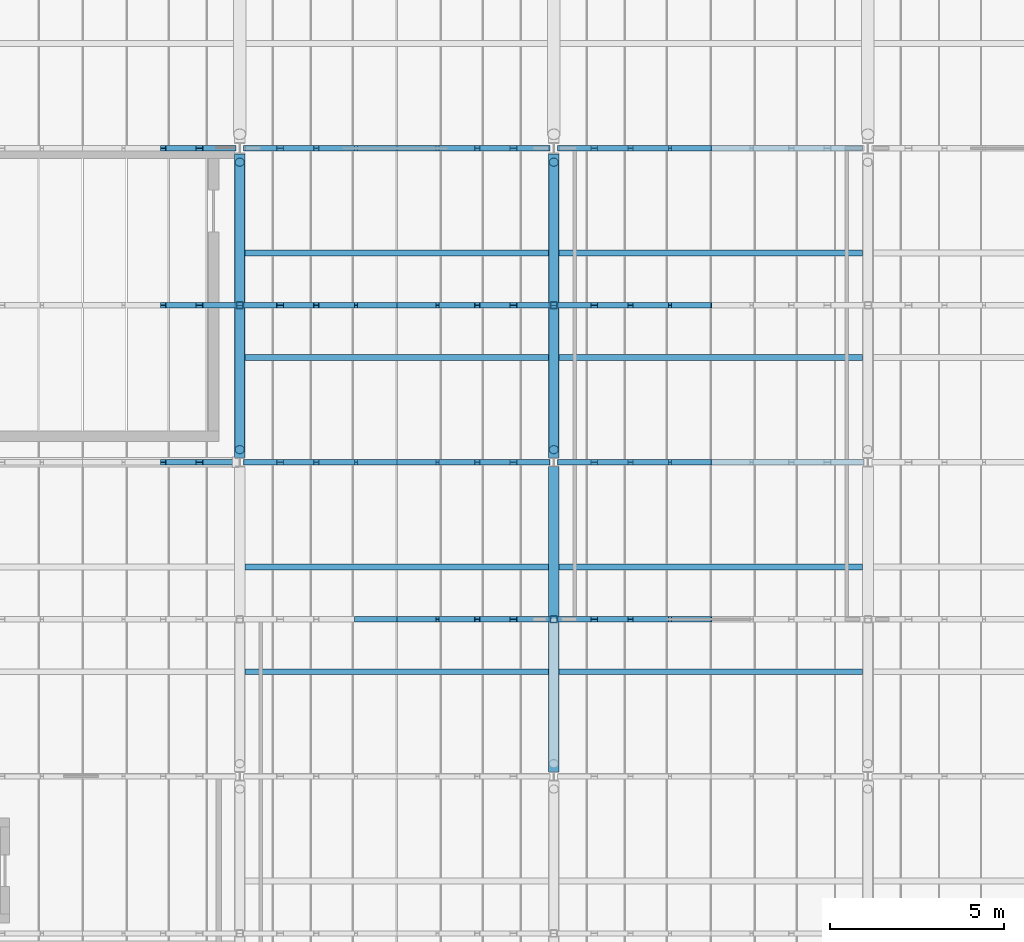
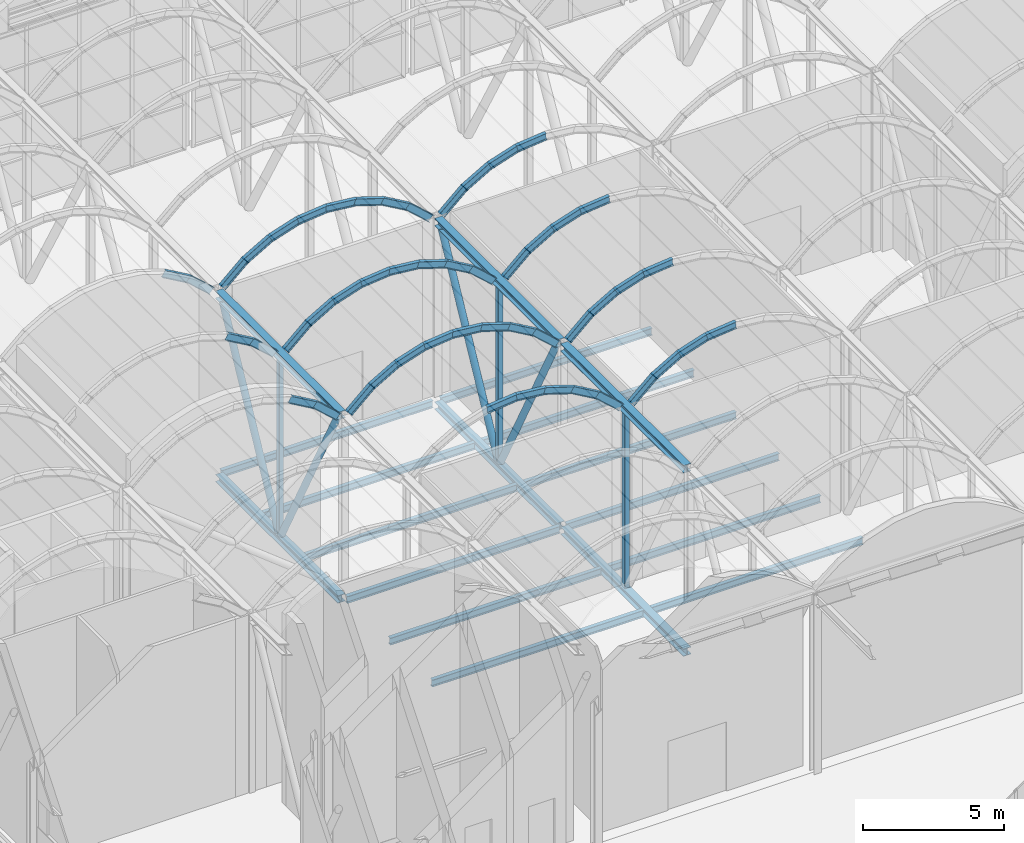
# One storey, part 97 of 144: 58 members, 18 beams.
"""IFC4 building model written with IfcOpenShell, lengths in metres."""

from ifc_helpers import new_model, si_unit, direction, frame, origin, origin_2d, place, context, subcontext, project, spatial, hollow_rectangle, hollow_circle, i_section, extrude, material, material_profile, profile_set, type_object, element, save


model = new_model("IFC4")

# Units and contexts
model_context = context("Model", 3, precision=1e-05, world=origin(), true_north=direction((0.0, 1.0)))
body_context = subcontext(model_context, "Body", "Model", "MODEL_VIEW")
ifc_project = project(units=[si_unit("LENGTHUNIT", "METRE"), si_unit("AREAUNIT", "SQUARE_METRE"), si_unit("VOLUMEUNIT", "CUBIC_METRE"), si_unit("PLANEANGLEUNIT", "RADIAN"), si_unit("MASSUNIT", "GRAM", prefix="KILO")], contexts=[model_context])

# Site, building, storey
site_placement = place(None, origin())
site = spatial("IfcSite", under=ifc_project, at=site_placement, CompositionType="ELEMENT")
building_placement = place(site_placement, origin())
building = spatial("IfcBuilding", under=site, at=building_placement, Name="Shorebreak Coast Museum", CompositionType="ELEMENT")
storey_placement = place(building_placement, frame((0.0, 0.0, 36.0)))
storey = spatial("IfcBuildingStorey", under=building, at=storey_placement, Name="L06", CompositionType="ELEMENT", Elevation=36.0)

# Beams
ifc_material_1 = material(Name="Steel Grade 300", Category="steel")
ifc_material_profile_1 = material_profile(ifc_material_1, i_section(OverallWidth=0.166015625, OverallDepth=0.30712890625, WebThickness=0.006591796875, FlangeThickness=0.01171875, FilletRadius=0.011474609375, at=origin_2d()), Name="310UB46.2")
ifc_profile_set_1 = profile_set([ifc_material_profile_1], Name="Steel Grade 300")
beam_type_1 = type_object("IfcBeamType", Name="Floor girder east-west 310UB46.2", PredefinedType="BEAM", material=ifc_profile_set_1)
for number, where, z_axis, x_axis, name in (
    (1, (72.126953125, 108.0, -0.32861328125), (1.0, 0.0, 0.0), (0.0, 1.0, 0.0), "Floor girder east-west L06 9N"),
    (2, (81.126953125, 108.0, -0.32861328125), (1.0, 0.0, 0.0), (0.0, 1.0, 0.0), "Floor girder east-west L06 10N"),
):
    element("IfcBeam", number, at=place(storey_placement, frame(where, z_axis=z_axis, x_axis=x_axis)), inside=storey, type_object=beam_type_1, Name=name, PredefinedType="BEAM", context=body_context, shape_type="SweptSolid", body=[
        extrude(i_section(OverallWidth=0.166015625, OverallDepth=0.30712890625, WebThickness=0.006591796875, FlangeThickness=0.01171875, FilletRadius=0.011474609375, at=origin_2d()), origin(), (0.0, 0.0, 1.0), 8.74609375),
    ])
for number, where, z_axis, x_axis, name in (
    (3, (72.155517578125, 117.0, -0.32861328125), (1.0, 0.0, 0.0), (0.0, 1.0, 0.0), "Floor girder east-west L06 9P"),
    (4, (81.155517578125, 117.0, -0.32861328125), (1.0, 0.0, 0.0), (0.0, 1.0, 0.0), "Floor girder east-west L06 10P"),
):
    element("IfcBeam", number, at=place(storey_placement, frame(where, z_axis=z_axis, x_axis=x_axis)), inside=storey, type_object=beam_type_1, Name=name, PredefinedType="BEAM", context=body_context, shape_type="SweptSolid", body=[
        extrude(i_section(OverallWidth=0.166015625, OverallDepth=0.30712890625, WebThickness=0.006591796875, FlangeThickness=0.01171875, FilletRadius=0.011474609375, at=origin_2d()), origin(), (0.0, 0.0, 1.0), 8.68896484375),
    ])
ifc_material_2 = material(Name="Steel Grade 300", Category="steel")
ifc_material_profile_2 = material_profile(ifc_material_2, i_section(OverallWidth=0.1650390625, OverallDepth=0.303955078125, WebThickness=0.006103515625, FlangeThickness=0.01025390625, FilletRadius=0.011474609375, at=origin_2d()), Name="310UB40.4")
ifc_profile_set_2 = profile_set([ifc_material_profile_2], Name="Steel Grade 300")
beam_type_2 = type_object("IfcBeamType", Name="Floor joist 310UB40.4", PredefinedType="JOIST", material=ifc_profile_set_2)
for number, where, z_axis, x_axis, name in (
    (5, (72.155517578125, 102.0, -0.326904296875), (1.0, 0.0, 0.0), (0.0, 1.0, 0.0), "Floor joist L06 bay 9M at 3000 mm"),
    (6, (72.155517578125, 105.0, -0.326904296875), (1.0, 0.0, 0.0), (0.0, 1.0, 0.0), "Floor joist L06 bay 9M at 6000 mm"),
    (7, (81.155517578125, 102.0, -0.326904296875), (1.0, 0.0, 0.0), (0.0, 1.0, 0.0), "Floor joist L06 bay 10M at 3000 mm"),
    (8, (81.155517578125, 105.0, -0.326904296875), (1.0, 0.0, 0.0), (0.0, 1.0, 0.0), "Floor joist L06 bay 10M at 6000 mm"),
    (9, (72.155517578125, 111.0, -0.326904296875), (1.0, 0.0, 0.0), (0.0, 1.0, 0.0), "Floor joist L06 bay 9N at 3000 mm"),
    (10, (72.155517578125, 114.0, -0.326904296875), (1.0, 0.0, 0.0), (0.0, 1.0, 0.0), "Floor joist L06 bay 9N at 6000 mm"),
    (11, (81.155517578125, 111.0, -0.326904296875), (1.0, 0.0, 0.0), (0.0, 1.0, 0.0), "Floor joist L06 bay 10N at 3000 mm"),
    (12, (81.155517578125, 114.0, -0.326904296875), (1.0, 0.0, 0.0), (0.0, 1.0, 0.0), "Floor joist L06 bay 10N at 6000 mm"),
):
    element("IfcBeam", number, at=place(storey_placement, frame(where, z_axis=z_axis, x_axis=x_axis)), inside=storey, type_object=beam_type_2, Name=name, PredefinedType="JOIST", context=body_context, shape_type="SweptSolid", body=[
        extrude(i_section(OverallWidth=0.1650390625, OverallDepth=0.303955078125, WebThickness=0.006103515625, FlangeThickness=0.01025390625, FilletRadius=0.011474609375, at=origin_2d()), origin(), (0.0, 0.0, 1.0), 8.68896484375),
    ])
ifc_material_3 = material(Name="Steel Grade 300", Category="steel")
ifc_material_profile_3 = material_profile(ifc_material_3, i_section(OverallWidth=0.30908203125, OverallDepth=0.320556640625, WebThickness=0.013916015625, FlangeThickness=0.021728515625, FilletRadius=0.0166015625, at=origin_2d()), Name="310UC137")
ifc_profile_set_3 = profile_set([ifc_material_profile_3], Name="Steel Grade 300")
beam_type_3 = type_object("IfcBeamType", Name="Transfer truss chord 310UC137", PredefinedType="BEAM", material=ifc_profile_set_3)
beam_1_placement = place(storey_placement, frame((72.0, 108.126953125, -0.335205078125), z_axis=(0.0, 1.0, 0.0), x_axis=(-1.0, 0.0, 0.0)))
element("IfcBeam", 13, at=beam_1_placement, inside=storey, type_object=beam_type_3, Name="Transfer truss TR3 chord C07", PredefinedType="BEAM", context=body_context, shape_type="SweptSolid", body=[
    extrude(i_section(OverallWidth=0.30908203125, OverallDepth=0.320556640625, WebThickness=0.013916015625, FlangeThickness=0.021728515625, FilletRadius=0.0166015625, at=origin_2d()), origin(), (0.0, 0.0, 1.0), 8.70947265625),
])
beam_2_placement = place(storey_placement, frame((81.0, 99.126953125, -0.335205078125), z_axis=(0.0, 1.0, 0.0), x_axis=(-1.0, 0.0, 0.0)))
element("IfcBeam", 14, at=beam_2_placement, inside=storey, type_object=beam_type_3, Name="Transfer truss TR4 chord C06", PredefinedType="BEAM", context=body_context, shape_type="SweptSolid", body=[
    extrude(i_section(OverallWidth=0.30908203125, OverallDepth=0.320556640625, WebThickness=0.013916015625, FlangeThickness=0.021728515625, FilletRadius=0.0166015625, at=origin_2d()), origin(), (0.0, 0.0, 1.0), 8.74609375),
])
beam_3_placement = place(storey_placement, frame((81.0, 108.126953125, -0.335205078125), z_axis=(0.0, 1.0, 0.0), x_axis=(-1.0, 0.0, 0.0)))
element("IfcBeam", 15, at=beam_3_placement, inside=storey, type_object=beam_type_3, Name="Transfer truss TR4 chord C07", PredefinedType="BEAM", context=body_context, shape_type="SweptSolid", body=[
    extrude(i_section(OverallWidth=0.30908203125, OverallDepth=0.320556640625, WebThickness=0.013916015625, FlangeThickness=0.021728515625, FilletRadius=0.0166015625, at=origin_2d()), origin(), (0.0, 0.0, 1.0), 8.70947265625),
])
ifc_material_4 = material(Name="Steel Grade 300", Category="steel")
ifc_material_profile_4 = material_profile(ifc_material_4, i_section(OverallWidth=0.31103515625, OverallDepth=0.3271484375, WebThickness=0.015625, FlangeThickness=0.02490234375, FilletRadius=0.0166015625, at=origin_2d()), Name="310UC158")
ifc_profile_set_4 = profile_set([ifc_material_profile_4], Name="Steel Grade 300")
beam_type_4 = type_object("IfcBeamType", Name="Transfer truss chord 310UC158", PredefinedType="BEAM", material=ifc_profile_set_4)
beam_4_placement = place(storey_placement, frame((72.0, 108.126953125, 7.621337890625), z_axis=(0.0, 1.0, 0.0), x_axis=(-1.0, 0.0, 0.0)))
element("IfcBeam", 16, at=beam_4_placement, inside=storey, type_object=beam_type_4, Name="Transfer truss TR3 chord C11", PredefinedType="BEAM", context=body_context, shape_type="SweptSolid", body=[
    extrude(i_section(OverallWidth=0.31103515625, OverallDepth=0.3271484375, WebThickness=0.015625, FlangeThickness=0.02490234375, FilletRadius=0.0166015625, at=origin_2d()), origin(), (0.0, 0.0, 1.0), 8.70947265625),
])
beam_5_placement = place(storey_placement, frame((81.0, 99.126953125, 7.621337890625), z_axis=(0.0, 1.0, 0.0), x_axis=(-1.0, 0.0, 0.0)))
element("IfcBeam", 17, at=beam_5_placement, inside=storey, type_object=beam_type_4, Name="Transfer truss TR4 chord C10", PredefinedType="BEAM", context=body_context, shape_type="SweptSolid", body=[
    extrude(i_section(OverallWidth=0.31103515625, OverallDepth=0.3271484375, WebThickness=0.015625, FlangeThickness=0.02490234375, FilletRadius=0.0166015625, at=origin_2d()), origin(), (0.0, 0.0, 1.0), 8.74609375),
])
beam_6_placement = place(storey_placement, frame((81.0, 108.126953125, 7.621337890625), z_axis=(0.0, 1.0, 0.0), x_axis=(-1.0, 0.0, 0.0)))
element("IfcBeam", 18, at=beam_6_placement, inside=storey, type_object=beam_type_4, Name="Transfer truss TR4 chord C11", PredefinedType="BEAM", context=body_context, shape_type="SweptSolid", body=[
    extrude(i_section(OverallWidth=0.31103515625, OverallDepth=0.3271484375, WebThickness=0.015625, FlangeThickness=0.02490234375, FilletRadius=0.0166015625, at=origin_2d()), origin(), (0.0, 0.0, 1.0), 8.70947265625),
])

# Members
ifc_material_5 = material(Name="Steel Grade C350L0", Category="steel")
ifc_material_profile_5 = material_profile(ifc_material_5, hollow_circle(Radius=0.136474609375, WallThickness=0.00927734375, at=origin_2d()), Name="273.1x9.3 CHS")
ifc_profile_set_5 = profile_set([ifc_material_profile_5], Name="Steel Grade C350L0")
member_type_1 = type_object("IfcMemberType", Name="Transfer truss diagonal 273.1x9.3 CHS", PredefinedType="BRACE", material=ifc_profile_set_5)
member_1_placement = place(storey_placement, frame((72.0, 112.414794921875, -0.175048828125), z_axis=(0.0, -0.468802638879, 0.883302941114), x_axis=(1.0, 0.0, 0.0)))
element("IfcMember", 19, at=member_1_placement, inside=storey, type_object=member_type_1, Name="Transfer truss TR3 diagonal D13", PredefinedType="BRACE", context=body_context, shape_type="SweptSolid", body=[
    extrude(hollow_circle(Radius=0.136474609375, WallThickness=0.00927734375, at=origin_2d()), origin(), (0.0, 0.0, 1.0), 8.64111328125),
])
member_2_placement = place(storey_placement, frame((72.0, 112.584228515625, -0.175048828125), z_axis=(0.0, 0.465641431585, 0.884973478242), x_axis=(-1.0, 0.0, 0.0)))
element("IfcMember", 20, at=member_2_placement, inside=storey, type_object=member_type_1, Name="Transfer truss TR3 diagonal D14", PredefinedType="BRACE", context=body_context, shape_type="SweptSolid", body=[
    extrude(hollow_circle(Radius=0.136474609375, WallThickness=0.00927734375, at=origin_2d()), origin(), (0.0, 0.0, 1.0), 8.625),
])
member_3_placement = place(storey_placement, frame((81.0, 112.414794921875, -0.175048828125), z_axis=(0.0, -0.468802638879, 0.883302941114), x_axis=(1.0, 0.0, 0.0)))
element("IfcMember", 21, at=member_3_placement, inside=storey, type_object=member_type_1, Name="Transfer truss TR4 diagonal D13", PredefinedType="BRACE", context=body_context, shape_type="SweptSolid", body=[
    extrude(hollow_circle(Radius=0.136474609375, WallThickness=0.00927734375, at=origin_2d()), origin(), (0.0, 0.0, 1.0), 8.64111328125),
])
member_4_placement = place(storey_placement, frame((81.0, 112.584228515625, -0.175048828125), z_axis=(0.0, 0.465641431585, 0.884973478242), x_axis=(-1.0, 0.0, 0.0)))
element("IfcMember", 22, at=member_4_placement, inside=storey, type_object=member_type_1, Name="Transfer truss TR4 diagonal D14", PredefinedType="BRACE", context=body_context, shape_type="SweptSolid", body=[
    extrude(hollow_circle(Radius=0.136474609375, WallThickness=0.00927734375, at=origin_2d()), origin(), (0.0, 0.0, 1.0), 8.625),
])
ifc_material_6 = material(Name="Steel Grade C450L0", Category="steel")
ifc_material_profile_6 = material_profile(ifc_material_6, hollow_rectangle(XDim=0.199951171875, YDim=0.199951171875, WallThickness=0.009033203125, InnerFilletRadius=0.013427734375, OuterFilletRadius=0.0224609375, at=origin_2d()), Name="200x200x9.0 SHS")
ifc_profile_set_6 = profile_set([ifc_material_profile_6], Name="Steel Grade C450L0")
member_type_2 = type_object("IfcMemberType", Name="Transfer truss strut 200x200x9.0 SHS", PredefinedType="STRUT", material=ifc_profile_set_6)
for number, where, z_axis, x_axis, name in (
    (23, (72.0, 112.5, -0.175048828125), (0.0, 0.0, 1.0), (1.0, 0.0, 0.0), "Transfer truss TR3 strut V10"),
    (24, (81.0, 103.5, -0.175048828125), (0.0, 0.0, 1.0), (1.0, 0.0, 0.0), "Transfer truss TR4 strut V09"),
    (25, (81.0, 112.5, -0.175048828125), (0.0, 0.0, 1.0), (1.0, 0.0, 0.0), "Transfer truss TR4 strut V10"),
):
    element("IfcMember", number, at=place(storey_placement, frame(where, z_axis=z_axis, x_axis=x_axis)), inside=storey, type_object=member_type_2, Name=name, PredefinedType="STRUT", context=body_context, shape_type="SweptSolid", body=[
        extrude(hollow_rectangle(XDim=0.199951171875, YDim=0.199951171875, WallThickness=0.009033203125, InnerFilletRadius=0.013427734375, OuterFilletRadius=0.0224609375, at=origin_2d()), origin(), (0.0, 0.0, 1.0), 7.6328125),
    ])
ifc_material_7 = material(Name="Steel Grade 300", Category="steel")
ifc_material_profile_7 = material_profile(ifc_material_7, i_section(OverallWidth=0.14892578125, OverallDepth=0.298095703125, WebThickness=0.005615234375, FlangeThickness=0.008056640625, FilletRadius=0.012939453125, at=origin_2d()), Name="310UB32.0")
ifc_profile_set_7 = profile_set([ifc_material_profile_7], Name="Steel Grade 300")
member_type_3 = type_object("IfcMemberType", Name="Vault arch rib 310UB32.0", PredefinedType="RAFTER", material=ifc_profile_set_7)
for number, where, z_axis, x_axis, name in (
    (26, (69.80615234375, 108.0, 9.16455078125), (0.866444596228, 0.0, -0.499273233478), (0.0, 1.0, 0.0), "Vault arch rib V2 line 04 facet 7"),
    (27, (69.80615234375, 112.5, 9.16455078125), (0.866444596228, 0.0, -0.499273233478), (0.0, 1.0, 0.0), "Vault arch rib V2 line 05 facet 7"),
    (28, (69.80615234375, 117.0, 9.16455078125), (0.866444596228, 0.0, -0.499273233478), (0.0, 1.0, 0.0), "Vault arch rib V2 line 06 facet 7"),
):
    element("IfcMember", number, at=place(storey_placement, frame(where, z_axis=z_axis, x_axis=x_axis)), inside=storey, type_object=member_type_3, Name=name, PredefinedType="RAFTER", context=body_context, shape_type="SweptSolid", body=[
        extrude(i_section(OverallWidth=0.14892578125, OverallDepth=0.298095703125, WebThickness=0.005615234375, FlangeThickness=0.008056640625, FilletRadius=0.012939453125, at=origin_2d()), origin(), (0.0, 0.0, 1.0), 1.223388671875),
    ])
for number, where, z_axis, x_axis, name in (
    (29, (70.841064453125, 108.0, 8.572021484375), (0.743894909598, 0.0, -0.668296613394), (0.0, 1.0, 0.0), "Vault arch rib V2 line 04 facet 8"),
    (30, (70.841064453125, 112.5, 8.572021484375), (0.743894909598, 0.0, -0.668296613394), (0.0, 1.0, 0.0), "Vault arch rib V2 line 05 facet 8"),
    (31, (70.841064453125, 117.0, 8.572021484375), (0.743894909598, 0.0, -0.668296613394), (0.0, 1.0, 0.0), "Vault arch rib V2 line 06 facet 8"),
    (32, (72.21240234375, 108.0, 7.7216796875), (0.743894909598, 0.0, 0.668296613394), (0.0, 1.0, 0.0), "Vault arch rib V3 line 04 facet 1"),
    (33, (72.21240234375, 112.5, 7.7216796875), (0.743894909598, 0.0, 0.668296613394), (0.0, 1.0, 0.0), "Vault arch rib V3 line 05 facet 1"),
    (34, (72.21240234375, 117.0, 7.7216796875), (0.743894909598, 0.0, 0.668296613394), (0.0, 1.0, 0.0), "Vault arch rib V3 line 06 facet 1"),
):
    element("IfcMember", number, at=place(storey_placement, frame(where, z_axis=z_axis, x_axis=x_axis)), inside=storey, type_object=member_type_3, Name=name, PredefinedType="RAFTER", context=body_context, shape_type="SweptSolid", body=[
        extrude(i_section(OverallWidth=0.14892578125, OverallDepth=0.298095703125, WebThickness=0.005615234375, FlangeThickness=0.008056640625, FilletRadius=0.012939453125, at=origin_2d()), origin(), (0.0, 0.0, 1.0), 1.2724609375),
    ])
for number, where, z_axis, x_axis, name in (
    (35, (73.1337890625, 108.0, 8.5537109375), (0.866444596228, 0.0, 0.499273233478), (0.0, 1.0, 0.0), "Vault arch rib V3 line 04 facet 2"),
    (36, (73.1337890625, 112.5, 8.5537109375), (0.866444596228, 0.0, 0.499273233478), (0.0, 1.0, 0.0), "Vault arch rib V3 line 05 facet 2"),
    (37, (73.1337890625, 117.0, 8.5537109375), (0.866444596228, 0.0, 0.499273233478), (0.0, 1.0, 0.0), "Vault arch rib V3 line 06 facet 2"),
    (38, (74.165283203125, 108.0, 9.152099609375), (0.951225984169, 0.0, 0.308494938436), (0.0, 1.0, 0.0), "Vault arch rib V3 line 04 facet 3"),
    (39, (74.165283203125, 112.5, 9.152099609375), (0.951225984169, 0.0, 0.308494938436), (0.0, 1.0, 0.0), "Vault arch rib V3 line 05 facet 3"),
    (40, (74.165283203125, 117.0, 9.152099609375), (0.951225984169, 0.0, 0.308494938436), (0.0, 1.0, 0.0), "Vault arch rib V3 line 06 facet 3"),
    (41, (75.298828125, 103.5, 9.52294921875), (0.994539296345, 0.0, 0.104362771266), (0.0, 1.0, 0.0), "Vault arch rib V3 line 03 facet 4"),
    (42, (75.298828125, 108.0, 9.52294921875), (0.994539296345, 0.0, 0.104362771266), (0.0, 1.0, 0.0), "Vault arch rib V3 line 04 facet 4"),
    (43, (75.298828125, 112.5, 9.52294921875), (0.994539296345, 0.0, 0.104362771266), (0.0, 1.0, 0.0), "Vault arch rib V3 line 05 facet 4"),
    (44, (75.298828125, 117.0, 9.52294921875), (0.994539296345, 0.0, 0.104362771266), (0.0, 1.0, 0.0), "Vault arch rib V3 line 06 facet 4"),
    (45, (76.484375, 103.5, 9.650634765625), (0.994539296345, 0.0, -0.104362771266), (0.0, 1.0, 0.0), "Vault arch rib V3 line 03 facet 5"),
    (46, (76.484375, 108.0, 9.650634765625), (0.994539296345, 0.0, -0.104362771266), (0.0, 1.0, 0.0), "Vault arch rib V3 line 04 facet 5"),
    (47, (76.484375, 112.5, 9.650634765625), (0.994539296345, 0.0, -0.104362771266), (0.0, 1.0, 0.0), "Vault arch rib V3 line 05 facet 5"),
    (48, (76.484375, 117.0, 9.650634765625), (0.994539296345, 0.0, -0.104362771266), (0.0, 1.0, 0.0), "Vault arch rib V3 line 06 facet 5"),
    (49, (77.6708984375, 103.5, 9.529541015625), (0.951225984169, 0.0, -0.308494938436), (0.0, 1.0, 0.0), "Vault arch rib V3 line 03 facet 6"),
    (50, (77.6708984375, 108.0, 9.529541015625), (0.951225984169, 0.0, -0.308494938436), (0.0, 1.0, 0.0), "Vault arch rib V3 line 04 facet 6"),
    (51, (77.6708984375, 112.5, 9.529541015625), (0.951225984169, 0.0, -0.308494938436), (0.0, 1.0, 0.0), "Vault arch rib V3 line 05 facet 6"),
    (52, (77.6708984375, 117.0, 9.529541015625), (0.951225984169, 0.0, -0.308494938436), (0.0, 1.0, 0.0), "Vault arch rib V3 line 06 facet 6"),
    (53, (78.80615234375, 103.5, 9.16455078125), (0.866444596228, 0.0, -0.499273233478), (0.0, 1.0, 0.0), "Vault arch rib V3 line 03 facet 7"),
    (54, (78.80615234375, 108.0, 9.16455078125), (0.866444596228, 0.0, -0.499273233478), (0.0, 1.0, 0.0), "Vault arch rib V3 line 04 facet 7"),
    (55, (78.80615234375, 112.5, 9.16455078125), (0.866444596228, 0.0, -0.499273233478), (0.0, 1.0, 0.0), "Vault arch rib V3 line 05 facet 7"),
    (56, (78.80615234375, 117.0, 9.16455078125), (0.866444596228, 0.0, -0.499273233478), (0.0, 1.0, 0.0), "Vault arch rib V3 line 06 facet 7"),
):
    element("IfcMember", number, at=place(storey_placement, frame(where, z_axis=z_axis, x_axis=x_axis)), inside=storey, type_object=member_type_3, Name=name, PredefinedType="RAFTER", context=body_context, shape_type="SweptSolid", body=[
        extrude(i_section(OverallWidth=0.14892578125, OverallDepth=0.298095703125, WebThickness=0.005615234375, FlangeThickness=0.008056640625, FilletRadius=0.012939453125, at=origin_2d()), origin(), (0.0, 0.0, 1.0), 1.223388671875),
    ])
for number, where, z_axis, x_axis, name in (
    (57, (79.841064453125, 103.5, 8.572021484375), (0.743894909598, 0.0, -0.668296613394), (0.0, 1.0, 0.0), "Vault arch rib V3 line 03 facet 8"),
    (58, (79.841064453125, 108.0, 8.572021484375), (0.743894909598, 0.0, -0.668296613394), (0.0, 1.0, 0.0), "Vault arch rib V3 line 04 facet 8"),
    (59, (79.841064453125, 112.5, 8.572021484375), (0.743894909598, 0.0, -0.668296613394), (0.0, 1.0, 0.0), "Vault arch rib V3 line 05 facet 8"),
    (60, (79.841064453125, 117.0, 8.572021484375), (0.743894909598, 0.0, -0.668296613394), (0.0, 1.0, 0.0), "Vault arch rib V3 line 06 facet 8"),
    (61, (81.21240234375, 103.5, 7.7216796875), (0.743894909598, 0.0, 0.668296613394), (0.0, 1.0, 0.0), "Vault arch rib V4 line 03 facet 1"),
    (62, (81.21240234375, 108.0, 7.7216796875), (0.743894909598, 0.0, 0.668296613394), (0.0, 1.0, 0.0), "Vault arch rib V4 line 04 facet 1"),
    (63, (81.21240234375, 112.5, 7.7216796875), (0.743894909598, 0.0, 0.668296613394), (0.0, 1.0, 0.0), "Vault arch rib V4 line 05 facet 1"),
    (64, (81.21240234375, 117.0, 7.7216796875), (0.743894909598, 0.0, 0.668296613394), (0.0, 1.0, 0.0), "Vault arch rib V4 line 06 facet 1"),
):
    element("IfcMember", number, at=place(storey_placement, frame(where, z_axis=z_axis, x_axis=x_axis)), inside=storey, type_object=member_type_3, Name=name, PredefinedType="RAFTER", context=body_context, shape_type="SweptSolid", body=[
        extrude(i_section(OverallWidth=0.14892578125, OverallDepth=0.298095703125, WebThickness=0.005615234375, FlangeThickness=0.008056640625, FilletRadius=0.012939453125, at=origin_2d()), origin(), (0.0, 0.0, 1.0), 1.2724609375),
    ])
for number, where, z_axis, x_axis, name in (
    (65, (82.1337890625, 103.5, 8.5537109375), (0.866444596228, 0.0, 0.499273233478), (0.0, 1.0, 0.0), "Vault arch rib V4 line 03 facet 2"),
    (66, (82.1337890625, 108.0, 8.5537109375), (0.866444596228, 0.0, 0.499273233478), (0.0, 1.0, 0.0), "Vault arch rib V4 line 04 facet 2"),
    (67, (82.1337890625, 112.5, 8.5537109375), (0.866444596228, 0.0, 0.499273233478), (0.0, 1.0, 0.0), "Vault arch rib V4 line 05 facet 2"),
    (68, (82.1337890625, 117.0, 8.5537109375), (0.866444596228, 0.0, 0.499273233478), (0.0, 1.0, 0.0), "Vault arch rib V4 line 06 facet 2"),
    (69, (83.165283203125, 103.5, 9.152099609375), (0.951225984169, 0.0, 0.308494938436), (0.0, 1.0, 0.0), "Vault arch rib V4 line 03 facet 3"),
    (70, (83.165283203125, 108.0, 9.152099609375), (0.951225984169, 0.0, 0.308494938436), (0.0, 1.0, 0.0), "Vault arch rib V4 line 04 facet 3"),
    (71, (83.165283203125, 112.5, 9.152099609375), (0.951225984169, 0.0, 0.308494938436), (0.0, 1.0, 0.0), "Vault arch rib V4 line 05 facet 3"),
    (72, (83.165283203125, 117.0, 9.152099609375), (0.951225984169, 0.0, 0.308494938436), (0.0, 1.0, 0.0), "Vault arch rib V4 line 06 facet 3"),
    (73, (84.298828125, 103.5, 9.52294921875), (0.994539296345, 0.0, 0.104362771266), (0.0, 1.0, 0.0), "Vault arch rib V4 line 03 facet 4"),
    (74, (84.298828125, 108.0, 9.52294921875), (0.994539296345, 0.0, 0.104362771266), (0.0, 1.0, 0.0), "Vault arch rib V4 line 04 facet 4"),
    (75, (84.298828125, 112.5, 9.52294921875), (0.994539296345, 0.0, 0.104362771266), (0.0, 1.0, 0.0), "Vault arch rib V4 line 05 facet 4"),
    (76, (84.298828125, 117.0, 9.52294921875), (0.994539296345, 0.0, 0.104362771266), (0.0, 1.0, 0.0), "Vault arch rib V4 line 06 facet 4"),
):
    element("IfcMember", number, at=place(storey_placement, frame(where, z_axis=z_axis, x_axis=x_axis)), inside=storey, type_object=member_type_3, Name=name, PredefinedType="RAFTER", context=body_context, shape_type="SweptSolid", body=[
        extrude(i_section(OverallWidth=0.14892578125, OverallDepth=0.298095703125, WebThickness=0.005615234375, FlangeThickness=0.008056640625, FilletRadius=0.012939453125, at=origin_2d()), origin(), (0.0, 0.0, 1.0), 1.223388671875),
    ])

save(model, "model.ifc")
